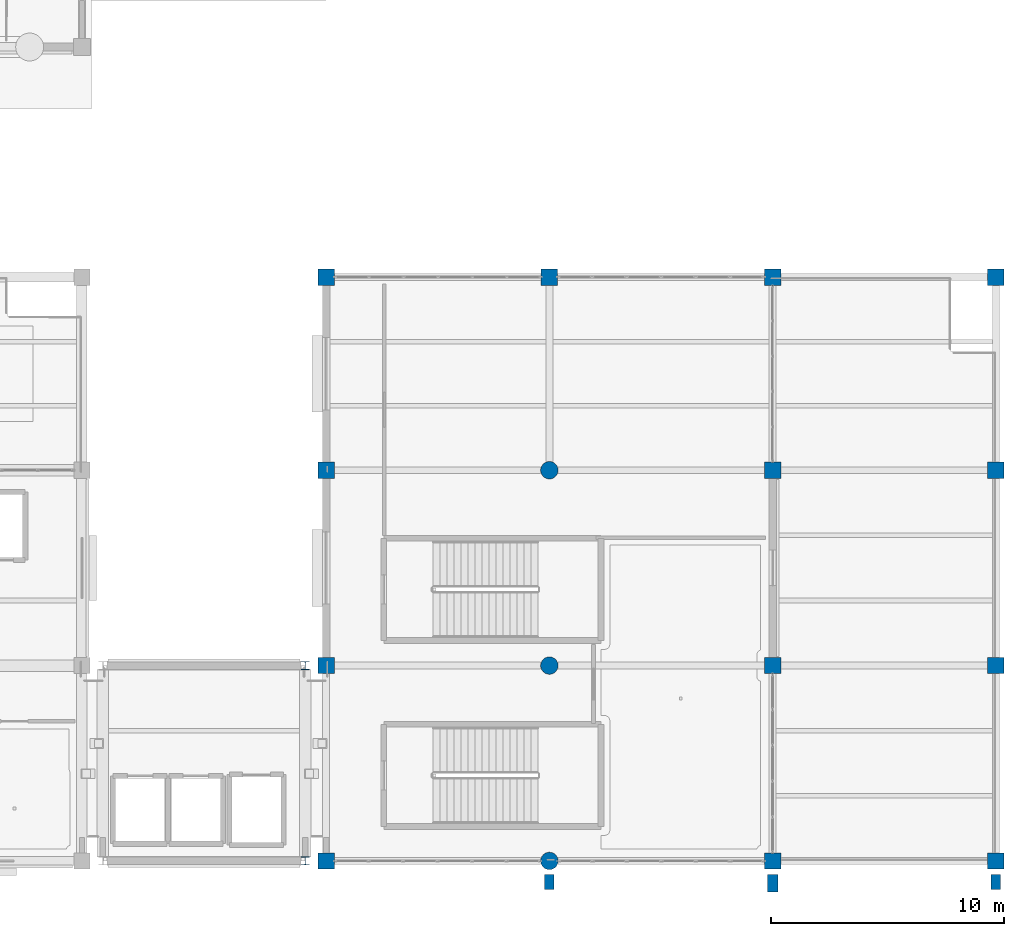
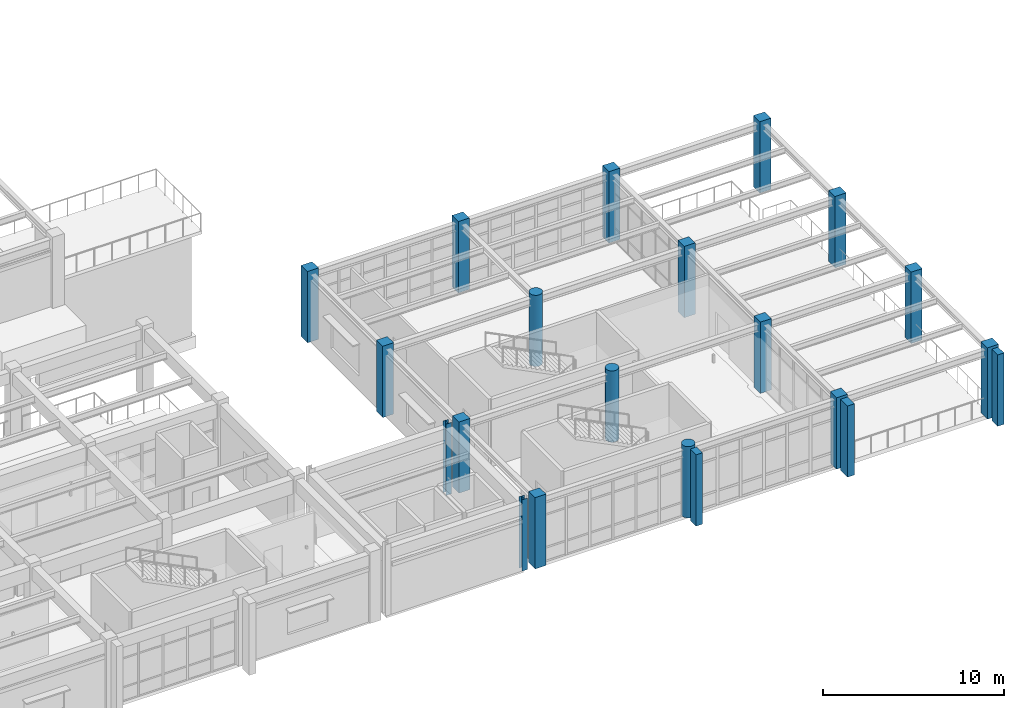
# One storey, part 6 of 98: 21 columns.
"""IFC4 building model written with IfcOpenShell, lengths in metres."""

from ifc_helpers import new_model, si_unit, direction, frame, origin, origin_2d, place, context, subcontext, project, spatial, rectangle, circle, i_section, extrude, material, material_profile, profile_set, type_object, element, save


model = new_model("IFC4")

# Units and contexts
model_context = context("Model", 3, precision=1e-05, world=origin(), true_north=direction((0.0, 1.0)))
body_context = subcontext(model_context, "Body", "Model", "MODEL_VIEW")
ifc_project = project(units=[si_unit("LENGTHUNIT", "METRE"), si_unit("AREAUNIT", "SQUARE_METRE"), si_unit("VOLUMEUNIT", "CUBIC_METRE"), si_unit("PLANEANGLEUNIT", "RADIAN"), si_unit("MASSUNIT", "GRAM", prefix="KILO")], contexts=[model_context])

# Site, building, storey
site_placement = place(None, origin())
site = spatial("IfcSite", under=ifc_project, at=site_placement, CompositionType="ELEMENT")
building_placement = place(site_placement, origin())
building = spatial("IfcBuilding", under=site, at=building_placement, Name="Canglan Escarpment Cableway Terminal", CompositionType="ELEMENT")
storey_placement = place(building_placement, frame((0.0, 0.0, 9.60009765625)))
storey = spatial("IfcBuildingStorey", under=building, at=storey_placement, Name="L02", CompositionType="ELEMENT", Elevation=9.60009765625)

# Columns
ifc_material_1 = material(Name="Steel Q355C", Category="steel")
ifc_material_profile_1 = material_profile(ifc_material_1, i_section(OverallWidth=0.35009765625, OverallDepth=0.35009765625, WebThickness=0.011962890625, FlangeThickness=0.01904296875, FilletRadius=0.02001953125, at=origin_2d()), Name="HW 350x350x12x19")
ifc_profile_set_1 = profile_set([ifc_material_profile_1], Name="Steel Q355C")
column_type_1 = type_object("IfcColumnType", Name="COL-HW350-Q355C", PredefinedType="COLUMN", material=ifc_profile_set_1)
for number, where, z_axis, x_axis, name in (
    (1, (146.300048828125, 8.0, 0.0), (0.0, 0.0, 1.0), (1.0, 0.0, 0.0), "Structural column C-09"),
    (2, (146.300048828125, 16.39990234375, 0.0), (0.0, 0.0, 1.0), (1.0, 0.0, 0.0), "Structural column C-09"),
):
    element("IfcColumn", number, at=place(storey_placement, frame(where, z_axis=z_axis, x_axis=x_axis)), inside=storey, type_object=column_type_1, Name=name, PredefinedType="COLUMN", context=body_context, shape_type="SweptSolid", body=[
        extrude(i_section(OverallWidth=0.35009765625, OverallDepth=0.35009765625, WebThickness=0.011962890625, FlangeThickness=0.01904296875, FilletRadius=0.02001953125, at=origin_2d()), origin(), (0.0, 0.0, 1.0), 4.7998046875),
    ])
ifc_material_2 = material(Name="Concrete C40", Category="concrete")
ifc_material_profile_2 = material_profile(ifc_material_2, rectangle(XDim=0.699951171875, YDim=0.699951171875, at=origin_2d()), Name="RC 700x700")
ifc_profile_set_2 = profile_set([ifc_material_profile_2], Name="Concrete C40")
column_type_2 = type_object("IfcColumnType", Name="COL-RC700-C40", PredefinedType="COLUMN", material=ifc_profile_set_2)
for number, where, z_axis, x_axis, name in (
    (3, (147.199951171875, 8.0, 0.0), (0.0, 0.0, 1.0), (1.0, 0.0, 0.0), "Structural column C-04"),
    (4, (147.199951171875, 16.39990234375, 0.0), (0.0, 0.0, 1.0), (1.0, 0.0, 0.0), "Structural column C-04"),
    (5, (147.199951171875, 24.800048828125, 0.0), (0.0, 0.0, 1.0), (1.0, 0.0, 0.0), "Structural column C-04"),
    (6, (147.199951171875, 33.10009765625, 0.0), (0.0, 0.0, 1.0), (1.0, 0.0, 0.0), "Structural column C-04"),
    (7, (156.800048828125, 33.10009765625, 0.0), (0.0, 0.0, 1.0), (1.0, 0.0, 0.0), "Structural column C-04"),
    (8, (166.39990234375, 8.0, 0.0), (0.0, 0.0, 1.0), (1.0, 0.0, 0.0), "Structural column C-04"),
    (9, (166.39990234375, 16.39990234375, 0.0), (0.0, 0.0, 1.0), (1.0, 0.0, 0.0), "Structural column C-04"),
    (10, (166.39990234375, 24.800048828125, 0.0), (0.0, 0.0, 1.0), (1.0, 0.0, 0.0), "Structural column C-04"),
    (11, (166.39990234375, 33.10009765625, 0.0), (0.0, 0.0, 1.0), (1.0, 0.0, 0.0), "Structural column C-04"),
    (12, (176.0, 8.0, 0.0), (0.0, 0.0, 1.0), (1.0, 0.0, 0.0), "Structural column C-04"),
    (13, (176.0, 16.39990234375, 0.0), (0.0, 0.0, 1.0), (1.0, 0.0, 0.0), "Structural column C-04"),
    (14, (176.0, 24.800048828125, 0.0), (0.0, 0.0, 1.0), (1.0, 0.0, 0.0), "Structural column C-04"),
    (15, (176.0, 33.10009765625, 0.0), (0.0, 0.0, 1.0), (1.0, 0.0, 0.0), "Structural column C-04"),
):
    element("IfcColumn", number, at=place(storey_placement, frame(where, z_axis=z_axis, x_axis=x_axis)), inside=storey, type_object=column_type_2, Name=name, PredefinedType="COLUMN", context=body_context, shape_type="SweptSolid", body=[
        extrude(rectangle(XDim=0.699951171875, YDim=0.699951171875, at=origin_2d()), origin(), (0.0, 0.0, 1.0), 4.7998046875),
    ])
ifc_material_profile_3 = material_profile(ifc_material_2, circle(Radius=0.375, at=origin_2d()), Name="RC-CIRC D750")
ifc_profile_set_3 = profile_set([ifc_material_profile_3], Name="Concrete C40")
column_type_3 = type_object("IfcColumnType", Name="COL-RCC750-C40", PredefinedType="COLUMN", material=ifc_profile_set_3)
for number, where, z_axis, x_axis, name in (
    (16, (156.800048828125, 8.0, 0.0), (0.0, 0.0, 1.0), (1.0, 0.0, 0.0), "Structural column C-07"),
    (17, (156.800048828125, 16.39990234375, 0.0), (0.0, 0.0, 1.0), (1.0, 0.0, 0.0), "Structural column C-07"),
    (18, (156.800048828125, 24.800048828125, 0.0), (0.0, 0.0, 1.0), (1.0, 0.0, 0.0), "Structural column C-07"),
):
    element("IfcColumn", number, at=place(storey_placement, frame(where, z_axis=z_axis, x_axis=x_axis)), inside=storey, type_object=column_type_3, Name=name, PredefinedType="COLUMN", context=body_context, shape_type="SweptSolid", body=[
        extrude(circle(Radius=0.375, at=origin_2d()), origin(), (0.0, 0.0, 1.0), 4.7998046875),
    ])
ifc_material_profile_4 = material_profile(ifc_material_2, rectangle(XDim=0.39990234375, YDim=0.64990234375, at=origin_2d()), Name="RC-PIL 400x650")
ifc_profile_set_4 = profile_set([ifc_material_profile_4], Name="Concrete C40")
column_type_4 = type_object("IfcColumnType", Name="PIL-RC400x650", PredefinedType="PILASTER", material=ifc_profile_set_4)
for number, where, z_axis, x_axis, name in (
    (19, (156.800048828125, 7.094970703125, 0.0), (0.0, 0.0, 1.0), (1.0, 0.0, 0.0), "Neoclassical engaged pilaster PL-02"),
    (20, (176.0, 7.094970703125, 0.0), (0.0, 0.0, 1.0), (1.0, 0.0, 0.0), "Neoclassical engaged pilaster PL-02"),
):
    element("IfcColumn", number, at=place(storey_placement, frame(where, z_axis=z_axis, x_axis=x_axis)), inside=storey, type_object=column_type_4, Name=name, PredefinedType="PILASTER", context=body_context, shape_type="SweptSolid", body=[
        extrude(rectangle(XDim=0.39990234375, YDim=0.64990234375, at=origin_2d()), origin(), (0.0, 0.0, 1.0), 4.7998046875),
    ])
ifc_material_profile_5 = material_profile(ifc_material_2, rectangle(XDim=0.449951171875, YDim=0.75, at=origin_2d()), Name="RC-PIL 450x750")
ifc_profile_set_5 = profile_set([ifc_material_profile_5], Name="Concrete C40")
column_type_5 = type_object("IfcColumnType", Name="PIL-RC450x750", PredefinedType="PILASTER", material=ifc_profile_set_5)
column_placement = place(storey_placement, frame((166.39990234375, 7.044921875, 0.0), z_axis=(0.0, 0.0, 1.0), x_axis=(1.0, 0.0, 0.0)))
element("IfcColumn", 21, at=column_placement, inside=storey, type_object=column_type_5, Name="Neoclassical engaged pilaster PL-01", PredefinedType="PILASTER", context=body_context, shape_type="SweptSolid", body=[
    extrude(rectangle(XDim=0.449951171875, YDim=0.75, at=origin_2d()), origin(), (0.0, 0.0, 1.0), 4.7998046875),
])

save(model, "model.ifc")
